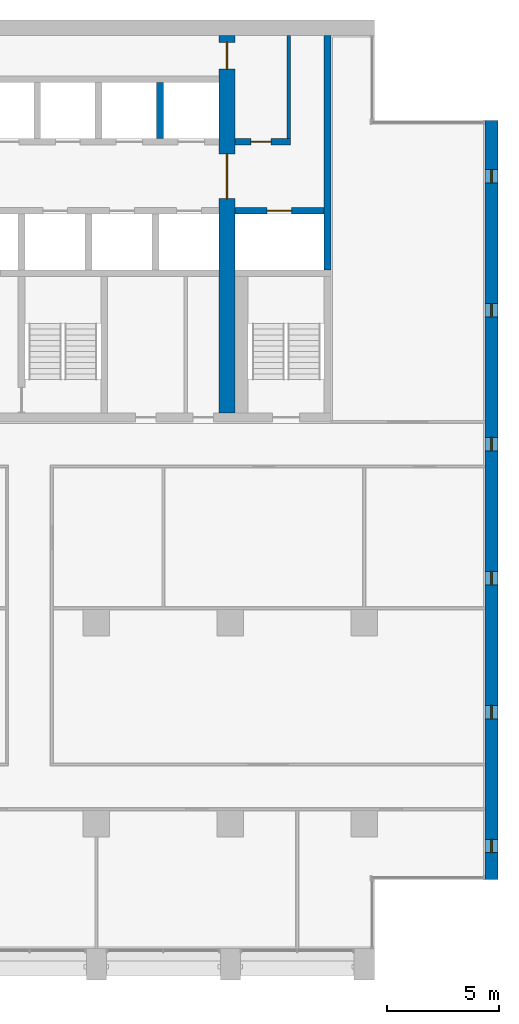
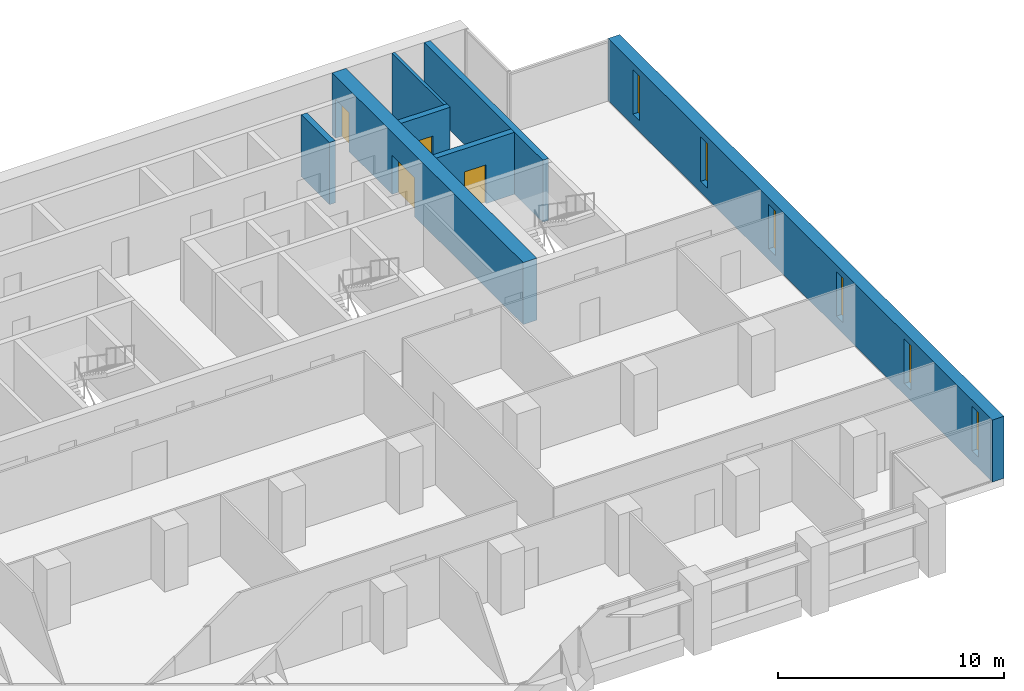
# One storey, part 12 of 17: 7 walls, 6 windows, 4 doors, 10 openings.
"""IFC4 building model written with IfcOpenShell, lengths in metres."""

from ifc_helpers import new_model, si_unit, direction, frame, frame_2d, origin, place, context, subcontext, project, spatial, rectangle, extrude, material, layer, layer_set, type_object, element, fill, save


model = new_model("IFC4")

# Units and contexts
model_context = context("Model", 3, precision=1e-05, world=origin(), true_north=direction((0.0, 1.0)))
body_context = subcontext(model_context, "Body", "Model", "MODEL_VIEW")
ifc_project = project(units=[si_unit("LENGTHUNIT", "METRE"), si_unit("AREAUNIT", "SQUARE_METRE"), si_unit("VOLUMEUNIT", "CUBIC_METRE"), si_unit("PLANEANGLEUNIT", "RADIAN"), si_unit("MASSUNIT", "GRAM", prefix="KILO")], contexts=[model_context])

# Site, building, storey
site_placement = place(None, origin())
site = spatial("IfcSite", under=ifc_project, at=site_placement, CompositionType="ELEMENT")
building_placement = place(site_placement, origin())
building = spatial("IfcBuilding", under=site, at=building_placement, Name="Calvaro Tower", CompositionType="ELEMENT")
storey_placement = place(building_placement, frame((0.0, 0.0, 174.25)))
storey = spatial("IfcBuildingStorey", under=building, at=storey_placement, Name="L43", CompositionType="ELEMENT", Elevation=174.25)

# Wall
ifc_material_1 = material(Name="Blockwork partition", Category="masonry")
ifc_layer_1 = layer(ifc_material_1, 0.14990234375)
ifc_layer_set_1 = layer_set([ifc_layer_1], Name="Blockwork partition")
wall_type_1 = type_object("IfcWallType", Name="Core partition 150 REI 120", PredefinedType="PARTITIONING", material=ifc_layer_set_1)
wall_1_placement = place(storey_placement, frame((62.625, 40.699951171875, 0.0), z_axis=(0.0, 0.0, 1.0), x_axis=(0.0, 1.0, 0.0)))
element("IfcWall", 1, at=wall_1_placement, inside=storey, type_object=wall_type_1, Name="Core partition", PredefinedType="PARTITIONING", context=body_context, shape_type="SweptSolid", body=[
    extrude(rectangle(XDim=4.60009765625, YDim=0.14990234375, at=frame_2d((2.300048828125, 0.0))), origin(), (0.0, 0.0, 1.0), 3.35009765625),
])

# Wall, opening, door
ifc_material_2 = material(Name="Blockwork partition", Category="masonry")
ifc_layer_2 = layer(ifc_material_2, 0.300048828125)
ifc_layer_set_2 = layer_set([ifc_layer_2], Name="Blockwork partition")
wall_type_2 = type_object("IfcWallType", Name="Core partition 300 REI 120", PredefinedType="PARTITIONING", material=ifc_layer_set_2)
wall_2_placement = place(storey_placement, frame((60.199951171875, 40.550048828125, 0.0), z_axis=(0.0, 0.0, 1.0), x_axis=(1.0, 0.0, 0.0)))
wall_2 = element("IfcWall", 2, at=wall_2_placement, inside=storey, type_object=wall_type_2, Name="Core partition", PredefinedType="PARTITIONING", context=body_context, shape_type="SweptSolid", body=[
    extrude(rectangle(XDim=2.5, YDim=0.300048828125, at=frame_2d((1.25, 0.0))), origin(), (0.0, 0.0, 1.0), 3.35009765625),
])
opening_1_placement = place(wall_2_placement, frame((0.72509765625, 0.0, 0.0)))
opening_1 = element("IfcOpeningElement", 3, at=opening_1_placement, cuts=wall_2, Name="Opening RD9E", PredefinedType="OPENING", context=body_context, shape_type="SweptSolid", body=[
    extrude(rectangle(XDim=0.89990234375, YDim=2.10009765625, at=frame_2d((0.449951171875, 1.050048828125))), frame((0.0, 0.159912109375, 0.0), z_axis=(0.0, -1.0, 0.0), x_axis=(1.0, 0.0, 0.0)), (0.0, 0.0, 1.0), 0.320068359375),
])
ifc_material_3 = material(Name="Steel door set", Category="steel")
door_type_1 = type_object("IfcDoorType", Name="Room door 900 FD60", OperationType="SINGLE_SWING_LEFT", PredefinedType="DOOR", material=ifc_material_3)
door_1_placement = place(opening_1_placement, origin())
door_1 = element("IfcDoor", 4, at=door_1_placement, inside=storey, type_object=door_type_1, Name="Room door", OperationType="SINGLE_SWING_LEFT", OverallHeight=2.10009765625, OverallWidth=0.89990234375, PredefinedType="DOOR", context=body_context, shape_type="SweptSolid", body=[
    extrude(rectangle(XDim=0.89990234375, YDim=2.10009765625, at=frame_2d((0.449951171875, 1.050048828125))), frame((0.0, 0.02490234375, 0.0), z_axis=(0.0, -1.0, 0.0), x_axis=(1.0, 0.0, 0.0)), (0.0, 0.0, 1.0), 0.050048828125),
])
fill(opening_1, door_1)

# Wall
ifc_material_4 = material(Name="Concrete C50/60", Category="concrete")
ifc_layer_3 = layer(ifc_material_4, 0.300048828125)
ifc_layer_set_3 = layer_set([ifc_layer_3], Name="Concrete C50/60")
wall_type_3 = type_object("IfcWallType", Name="Core wall C50/60 300", PredefinedType="SHEAR", material=ifc_layer_set_3)
wall_3_placement = place(storey_placement, frame((64.35009765625, 34.800048828125, 0.0), z_axis=(0.0, 0.0, 1.0), x_axis=(0.0, 1.0, 0.0)))
element("IfcWall", 5, at=wall_3_placement, inside=storey, type_object=wall_type_3, Name="Core wall, boundary", PredefinedType="SHEAR", context=body_context, shape_type="SweptSolid", body=[
    extrude(rectangle(XDim=10.5, YDim=0.300048828125, at=frame_2d((5.25, 0.0))), origin(), (0.0, 0.0, 1.0), 3.35009765625),
])

# Wall, opening, door
wall_4_placement = place(storey_placement, frame((60.199951171875, 37.449951171875, 0.0), z_axis=(0.0, 0.0, 1.0), x_axis=(1.0, 0.0, 0.0)))
wall_4 = element("IfcWall", 6, at=wall_4_placement, inside=storey, type_object=wall_type_3, Name="Core wall, lift shaft", PredefinedType="SHEAR", context=body_context, shape_type="SweptSolid", body=[
    extrude(rectangle(XDim=4.0, YDim=0.300048828125, at=frame_2d((2.0, 0.0))), origin(), (0.0, 0.0, 1.0), 3.35009765625),
])
opening_2_placement = place(wall_4_placement, frame((1.449951171875, 0.0, 0.0)))
opening_2 = element("IfcOpeningElement", 7, at=opening_2_placement, cuts=wall_4, Name="Opening FF3", PredefinedType="OPENING", context=body_context, shape_type="SweptSolid", body=[
    extrude(rectangle(XDim=1.10009765625, YDim=2.10009765625, at=frame_2d((0.550048828125, 1.050048828125))), frame((0.0, 0.159912109375, 0.0), z_axis=(0.0, -1.0, 0.0), x_axis=(1.0, 0.0, 0.0)), (0.0, 0.0, 1.0), 0.320068359375),
])
ifc_material_5 = material(Name="Stainless steel", Category="steel")
door_type_2 = type_object("IfcDoorType", Name="Landing door 1100 E 60", OperationType="SLIDING_TO_LEFT", PredefinedType="DOOR", material=ifc_material_5)
door_2_placement = place(opening_2_placement, origin())
door_2 = element("IfcDoor", 8, at=door_2_placement, inside=storey, type_object=door_type_2, Name="Landing door FF3", OperationType="SLIDING_TO_LEFT", OverallHeight=2.10009765625, OverallWidth=1.10009765625, PredefinedType="DOOR", context=body_context, shape_type="SweptSolid", body=[
    extrude(rectangle(XDim=1.10009765625, YDim=2.10009765625, at=frame_2d((0.550048828125, 1.050048828125))), frame((0.0, 0.02490234375, 0.0), z_axis=(0.0, -1.0, 0.0), x_axis=(1.0, 0.0, 0.0)), (0.0, 0.0, 1.0), 0.050048828125),
])
fill(opening_2, door_2)

# Wall
wall_5_placement = place(storey_placement, frame((56.85009765625, 40.699951171875, 0.0), z_axis=(0.0, 0.0, 1.0), x_axis=(0.0, 1.0, 0.0)))
element("IfcWall", 9, at=wall_5_placement, inside=storey, type_object=wall_type_3, Name="Core wall, lift shaft", PredefinedType="SHEAR", context=body_context, shape_type="SweptSolid", body=[
    extrude(rectangle(XDim=2.5, YDim=0.300048828125, at=frame_2d((1.25, 0.0))), origin(), (0.0, 0.0, 1.0), 3.35009765625),
])

# Wall, openings, doors
ifc_material_6 = material(Name="Concrete C50/60", Category="concrete")
ifc_layer_4 = layer(ifc_material_6, 0.699951171875)
ifc_layer_set_4 = layer_set([ifc_layer_4], Name="Concrete C50/60")
wall_type_4 = type_object("IfcWallType", Name="Core wall C50/60 700", PredefinedType="SHEAR", material=ifc_layer_set_4)
wall_6_placement = place(storey_placement, frame((59.85009765625, 28.39990234375, 0.0), z_axis=(0.0, 0.0, 1.0), x_axis=(0.0, 1.0, 0.0)))
wall_6 = element("IfcWall", 10, at=wall_6_placement, inside=storey, type_object=wall_type_4, Name="Core wall, cross shear wall", PredefinedType="SHEAR", context=body_context, shape_type="SweptSolid", body=[
    extrude(rectangle(XDim=16.900146484375, YDim=0.699951171875, at=frame_2d((8.4501953125, 0.0))), origin(), (0.0, 0.0, 1.0), 3.35009765625),
])
opening_3_placement = place(wall_6_placement, frame((9.60009765625, 0.0, 0.0)))
opening_3 = element("IfcOpeningElement", 11, at=opening_3_placement, cuts=wall_6, Name="Opening DD20D", PredefinedType="OPENING", context=body_context, shape_type="SweptSolid", body=[
    extrude(rectangle(XDim=2.0, YDim=2.10009765625, at=frame_2d((1.0, 1.050048828125))), frame((0.0, 0.35986328125, 0.0), z_axis=(0.0, -1.0, 0.0), x_axis=(1.0, 0.0, 0.0)), (0.0, 0.0, 1.0), 0.719970703125),
])
opening_4_placement = place(wall_6_placement, frame((15.39990234375, 0.0, 0.0)))
opening_4 = element("IfcOpeningElement", 12, at=opening_4_placement, cuts=wall_6, Name="Opening FD12C", PredefinedType="OPENING", context=body_context, shape_type="SweptSolid", body=[
    extrude(rectangle(XDim=1.199951171875, YDim=2.10009765625, at=frame_2d((0.60009765625, 1.050048828125))), frame((0.0, 0.35986328125, 0.0), z_axis=(0.0, -1.0, 0.0), x_axis=(1.0, 0.0, 0.0)), (0.0, 0.0, 1.0), 0.719970703125),
])
ifc_material_7 = material(Name="Steel door set", Category="steel")
door_type_3 = type_object("IfcDoorType", Name="Fire door 1200 FD30", OperationType="SINGLE_SWING_LEFT", PredefinedType="DOOR", material=ifc_material_7)
door_3_placement = place(opening_4_placement, origin())
door_3 = element("IfcDoor", 13, at=door_3_placement, inside=storey, type_object=door_type_3, Name="Fire door", OperationType="SINGLE_SWING_LEFT", OverallHeight=2.10009765625, OverallWidth=1.199951171875, PredefinedType="DOOR", context=body_context, shape_type="SweptSolid", body=[
    extrude(rectangle(XDim=1.199951171875, YDim=2.10009765625, at=frame_2d((0.60009765625, 1.050048828125))), frame((0.0, 0.02490234375, 0.0), z_axis=(0.0, -1.0, 0.0), x_axis=(1.0, 0.0, 0.0)), (0.0, 0.0, 1.0), 0.050048828125),
])
fill(opening_4, door_3)
ifc_material_8 = material(Name="Steel door set", Category="steel")
door_type_4 = type_object("IfcDoorType", Name="Lobby double door 2000 FD30S", OperationType="DOUBLE_DOOR_SINGLE_SWING", PredefinedType="DOOR", material=ifc_material_8)
door_4_placement = place(opening_3_placement, origin())
door_4 = element("IfcDoor", 14, at=door_4_placement, inside=storey, type_object=door_type_4, Name="Lobby double door", OperationType="DOUBLE_DOOR_SINGLE_SWING", OverallHeight=2.10009765625, OverallWidth=2.0, PredefinedType="DOOR", context=body_context, shape_type="SweptSolid", body=[
    extrude(rectangle(XDim=2.0, YDim=2.10009765625, at=frame_2d((1.0, 1.050048828125))), frame((0.0, 0.02490234375, 0.0), z_axis=(0.0, -1.0, 0.0), x_axis=(1.0, 0.0, 0.0)), (0.0, 0.0, 1.0), 0.050048828125),
])
fill(opening_3, door_4)

# Wall, openings, windows
ifc_material_9 = material(Name="Concrete C50/60", Category="concrete")
ifc_layer_5 = layer(ifc_material_9, 0.60009765625)
ifc_layer_set_5 = layer_set([ifc_layer_5], Name="Concrete C50/60")
wall_type_5 = type_object("IfcWallType", Name="End wall 600 C50/60", PredefinedType="SHEAR", material=ifc_layer_set_5)
wall_7_placement = place(storey_placement, frame((71.699951171875, 7.5, 0.0), z_axis=(0.0, 0.0, 1.0), x_axis=(0.0, 1.0, 0.0)))
wall_7 = element("IfcWall", 15, at=wall_7_placement, inside=storey, type_object=wall_type_5, Name="End shear wall", PredefinedType="SHEAR", context=body_context, shape_type="SweptSolid", body=[
    extrude(rectangle(XDim=34.0, YDim=0.60009765625, at=frame_2d((17.0, 0.0))), origin(), (0.0, 0.0, 1.0), 3.35009765625),
])
opening_5_placement = place(wall_7_placement, frame((1.199951171875, 0.0, 0.60009765625)))
opening_5 = element("IfcOpeningElement", 16, at=opening_5_placement, cuts=wall_7, Name="Opening WE01", PredefinedType="OPENING", context=body_context, shape_type="SweptSolid", body=[
    extrude(rectangle(XDim=0.60009765625, YDim=2.39990234375, at=frame_2d((0.300048828125, 1.199951171875))), frame((0.0, 0.31005859375, 0.0), z_axis=(0.0, -1.0, 0.0), x_axis=(1.0, 0.0, 0.0)), (0.0, 0.0, 1.0), 0.6201171875),
])
opening_6_placement = place(wall_7_placement, frame((7.199951171875, 0.0, 0.60009765625)))
opening_6 = element("IfcOpeningElement", 17, at=opening_6_placement, cuts=wall_7, Name="Opening WE02", PredefinedType="OPENING", context=body_context, shape_type="SweptSolid", body=[
    extrude(rectangle(XDim=0.60009765625, YDim=2.39990234375, at=frame_2d((0.300048828125, 1.199951171875))), frame((0.0, 0.31005859375, 0.0), z_axis=(0.0, -1.0, 0.0), x_axis=(1.0, 0.0, 0.0)), (0.0, 0.0, 1.0), 0.6201171875),
])
opening_7_placement = place(wall_7_placement, frame((13.199951171875, 0.0, 0.60009765625)))
opening_7 = element("IfcOpeningElement", 18, at=opening_7_placement, cuts=wall_7, Name="Opening WE03", PredefinedType="OPENING", context=body_context, shape_type="SweptSolid", body=[
    extrude(rectangle(XDim=0.60009765625, YDim=2.39990234375, at=frame_2d((0.300048828125, 1.199951171875))), frame((0.0, 0.31005859375, 0.0), z_axis=(0.0, -1.0, 0.0), x_axis=(1.0, 0.0, 0.0)), (0.0, 0.0, 1.0), 0.6201171875),
])
opening_8_placement = place(wall_7_placement, frame((19.199951171875, 0.0, 0.60009765625)))
opening_8 = element("IfcOpeningElement", 19, at=opening_8_placement, cuts=wall_7, Name="Opening WE04", PredefinedType="OPENING", context=body_context, shape_type="SweptSolid", body=[
    extrude(rectangle(XDim=0.60009765625, YDim=2.39990234375, at=frame_2d((0.300048828125, 1.199951171875))), frame((0.0, 0.31005859375, 0.0), z_axis=(0.0, -1.0, 0.0), x_axis=(1.0, 0.0, 0.0)), (0.0, 0.0, 1.0), 0.6201171875),
])
opening_9_placement = place(wall_7_placement, frame((25.199951171875, 0.0, 0.60009765625)))
opening_9 = element("IfcOpeningElement", 20, at=opening_9_placement, cuts=wall_7, Name="Opening WE05", PredefinedType="OPENING", context=body_context, shape_type="SweptSolid", body=[
    extrude(rectangle(XDim=0.60009765625, YDim=2.39990234375, at=frame_2d((0.300048828125, 1.199951171875))), frame((0.0, 0.31005859375, 0.0), z_axis=(0.0, -1.0, 0.0), x_axis=(1.0, 0.0, 0.0)), (0.0, 0.0, 1.0), 0.6201171875),
])
opening_10_placement = place(wall_7_placement, frame((31.199951171875, 0.0, 0.60009765625)))
opening_10 = element("IfcOpeningElement", 21, at=opening_10_placement, cuts=wall_7, Name="Opening WE06", PredefinedType="OPENING", context=body_context, shape_type="SweptSolid", body=[
    extrude(rectangle(XDim=0.60009765625, YDim=2.39990234375, at=frame_2d((0.300048828125, 1.199951171875))), frame((0.0, 0.31005859375, 0.0), z_axis=(0.0, -1.0, 0.0), x_axis=(1.0, 0.0, 0.0)), (0.0, 0.0, 1.0), 0.6201171875),
])
ifc_material_10 = material(Name="Glass", Category="glass")
window_type = type_object("IfcWindowType", Name="Slit window 600 x 2400", PartitioningType="SINGLE_PANEL", PredefinedType="WINDOW", material=ifc_material_10)
window_1_placement = place(opening_5_placement, origin())
window_1 = element("IfcWindow", 22, at=window_1_placement, inside=storey, type_object=window_type, Name="Window WE01", OverallHeight=2.39990234375, OverallWidth=0.60009765625, PartitioningType="SINGLE_PANEL", PredefinedType="WINDOW", context=body_context, shape_type="SweptSolid", body=[
    extrude(rectangle(XDim=0.60009765625, YDim=2.39990234375, at=frame_2d((0.300048828125, 1.199951171875))), frame((0.0, 0.030029296875, 0.0), z_axis=(0.0, -1.0, 0.0), x_axis=(1.0, 0.0, 0.0)), (0.0, 0.0, 1.0), 0.06005859375),
])
fill(opening_5, window_1)
window_2_placement = place(opening_6_placement, origin())
window_2 = element("IfcWindow", 23, at=window_2_placement, inside=storey, type_object=window_type, Name="Window WE02", OverallHeight=2.39990234375, OverallWidth=0.60009765625, PartitioningType="SINGLE_PANEL", PredefinedType="WINDOW", context=body_context, shape_type="SweptSolid", body=[
    extrude(rectangle(XDim=0.60009765625, YDim=2.39990234375, at=frame_2d((0.300048828125, 1.199951171875))), frame((0.0, 0.030029296875, 0.0), z_axis=(0.0, -1.0, 0.0), x_axis=(1.0, 0.0, 0.0)), (0.0, 0.0, 1.0), 0.06005859375),
])
fill(opening_6, window_2)
window_3_placement = place(opening_7_placement, origin())
window_3 = element("IfcWindow", 24, at=window_3_placement, inside=storey, type_object=window_type, Name="Window WE03", OverallHeight=2.39990234375, OverallWidth=0.60009765625, PartitioningType="SINGLE_PANEL", PredefinedType="WINDOW", context=body_context, shape_type="SweptSolid", body=[
    extrude(rectangle(XDim=0.60009765625, YDim=2.39990234375, at=frame_2d((0.300048828125, 1.199951171875))), frame((0.0, 0.030029296875, 0.0), z_axis=(0.0, -1.0, 0.0), x_axis=(1.0, 0.0, 0.0)), (0.0, 0.0, 1.0), 0.06005859375),
])
fill(opening_7, window_3)
window_4_placement = place(opening_8_placement, origin())
window_4 = element("IfcWindow", 25, at=window_4_placement, inside=storey, type_object=window_type, Name="Window WE04", OverallHeight=2.39990234375, OverallWidth=0.60009765625, PartitioningType="SINGLE_PANEL", PredefinedType="WINDOW", context=body_context, shape_type="SweptSolid", body=[
    extrude(rectangle(XDim=0.60009765625, YDim=2.39990234375, at=frame_2d((0.300048828125, 1.199951171875))), frame((0.0, 0.030029296875, 0.0), z_axis=(0.0, -1.0, 0.0), x_axis=(1.0, 0.0, 0.0)), (0.0, 0.0, 1.0), 0.06005859375),
])
fill(opening_8, window_4)
window_5_placement = place(opening_9_placement, origin())
window_5 = element("IfcWindow", 26, at=window_5_placement, inside=storey, type_object=window_type, Name="Window WE05", OverallHeight=2.39990234375, OverallWidth=0.60009765625, PartitioningType="SINGLE_PANEL", PredefinedType="WINDOW", context=body_context, shape_type="SweptSolid", body=[
    extrude(rectangle(XDim=0.60009765625, YDim=2.39990234375, at=frame_2d((0.300048828125, 1.199951171875))), frame((0.0, 0.030029296875, 0.0), z_axis=(0.0, -1.0, 0.0), x_axis=(1.0, 0.0, 0.0)), (0.0, 0.0, 1.0), 0.06005859375),
])
fill(opening_9, window_5)
window_6_placement = place(opening_10_placement, origin())
window_6 = element("IfcWindow", 27, at=window_6_placement, inside=storey, type_object=window_type, Name="Window WE06", OverallHeight=2.39990234375, OverallWidth=0.60009765625, PartitioningType="SINGLE_PANEL", PredefinedType="WINDOW", context=body_context, shape_type="SweptSolid", body=[
    extrude(rectangle(XDim=0.60009765625, YDim=2.39990234375, at=frame_2d((0.300048828125, 1.199951171875))), frame((0.0, 0.030029296875, 0.0), z_axis=(0.0, -1.0, 0.0), x_axis=(1.0, 0.0, 0.0)), (0.0, 0.0, 1.0), 0.06005859375),
])
fill(opening_10, window_6)

save(model, "model.ifc")
